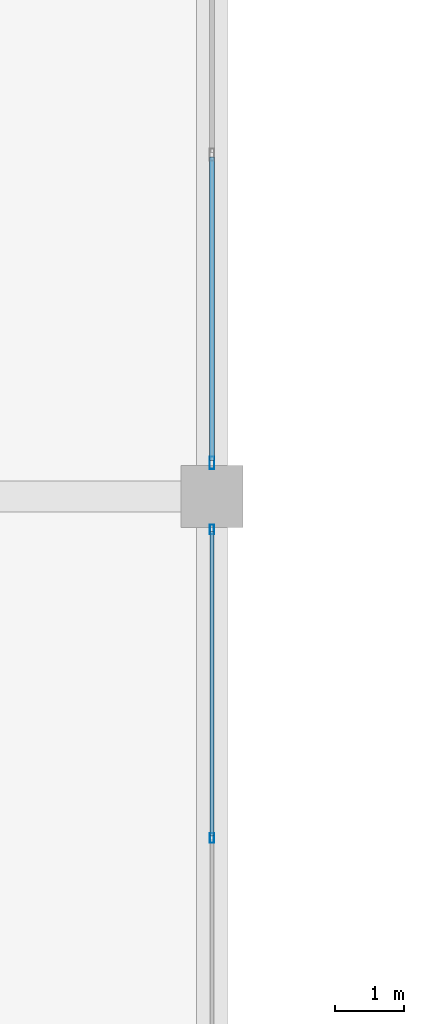
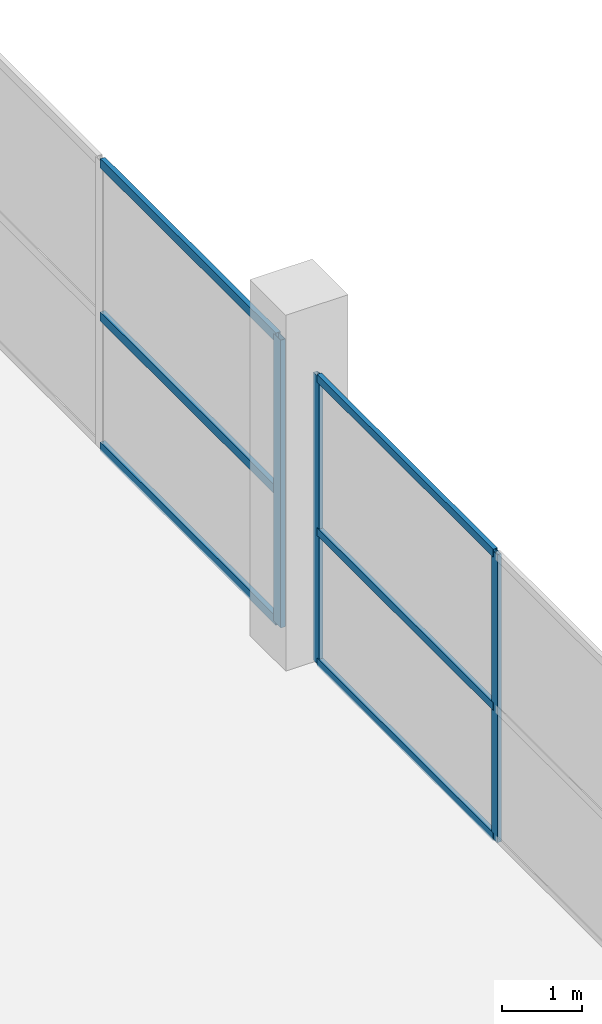
# One storey, part 15 of 50: 9 members, 2 elements without a shape of their own.
"""IFC4 building model written with IfcOpenShell, lengths in metres."""

import ifcopenshell
import ifcopenshell.guid

model = None  # the IFC model being written
_history = None  # IfcOwnerHistory: only IFC2X3 demands one
_inside = {}  # id of a spatial element -> (the spatial element, [elements in it])
_under = {}  # id of a project, library or spatial element -> (it, [spatial elements below it])
_declared = {}  # id of a project -> (the project, [libraries it declares])
_typed = {}  # id of a type object -> (the type object, [elements of that type])
_made_of = {}  # id of a material, layer set ... -> (it, [elements and type objects made of it])


def new_model(schema):
    """Start an empty IFC model of exactly this schema.

    Asked for "IFC4X3", IfcOpenShell would pick the latest addendum, in which some entities
    have other attributes; the version numbers below select the first issue.
    IFC2X3 requires an IfcOwnerHistory on every rooted entity: one is made here for all.
    """
    global model, _history
    if schema == "IFC4X3":
        model = ifcopenshell.file(schema_version=(4, 3, 0, 0))
    else:
        model = ifcopenshell.file(schema=schema)
    _inside.clear()
    _under.clear()
    _declared.clear()
    _typed.clear()
    _made_of.clear()
    _history = None
    if model.schema == "IFC2X3":
        org = make("IfcOrganization", Name="unknown")
        user = make(
            "IfcPersonAndOrganization",
            ThePerson=make("IfcPerson", FamilyName="unknown"),
            TheOrganization=org,
        )
        app = make(
            "IfcApplication",
            ApplicationDeveloper=org,
            Version="unknown",
            ApplicationFullName="unknown",
            ApplicationIdentifier="unknown",
        )
        _history = make(
            "IfcOwnerHistory",
            OwningUser=user,
            OwningApplication=app,
            ChangeAction="ADDED",
            CreationDate=0,
        )
    return model


def make(cls, **values):
    """One entity of the class cls with the attributes given. An attribute that is None is left unset."""
    return model.create_entity(
        cls, **{name: value for name, value in values.items() if value is not None}
    )


def rooted(cls, **values):
    """An entity with a GlobalId (a new one), such as an element, a storey or a relation."""
    return make(cls, GlobalId=ifcopenshell.guid.new(), OwnerHistory=_history, **values)


def si_unit(unit_type, name, prefix=None):
    """IfcSIUnit, for example si_unit("LENGTHUNIT", "METRE", prefix="MILLI")."""
    return make("IfcSIUnit", UnitType=unit_type, Prefix=prefix, Name=name)


def assignment(units):
    """IfcUnitAssignment: the units of a project."""
    return None if units is None else make("IfcUnitAssignment", Units=units)


def point(xyz):
    """IfcCartesianPoint."""
    return None if xyz is None else make("IfcCartesianPoint", Coordinates=xyz)


def direction(xyz):
    """IfcDirection."""
    return None if xyz is None else make("IfcDirection", DirectionRatios=xyz)


def frame(location, z_axis=None, x_axis=None):
    """IfcAxis2Placement3D, a coordinate frame: its origin and axes. An axis left out is left unset."""
    return make(
        "IfcAxis2Placement3D",
        Location=point(location),
        Axis=direction(z_axis),
        RefDirection=direction(x_axis),
    )


def frame_2d(location, x_axis=None):
    """IfcAxis2Placement2D, a coordinate frame in the plane: its origin and x axis."""
    return make(
        "IfcAxis2Placement2D", Location=point(location), RefDirection=direction(x_axis)
    )


def origin():
    """The frame at (0, 0, 0) with its axes left unset."""
    return frame((0.0, 0.0, 0.0))


def origin_2d():
    """The frame at (0, 0) in the plane with its x axis left unset."""
    return frame_2d((0.0, 0.0))


def place(relative_to, where):
    """IfcLocalPlacement: puts the frame where relative to a parent placement (None: the world)."""
    return make(
        "IfcLocalPlacement", PlacementRelTo=relative_to, RelativePlacement=where
    )


def context(
    kind, dimensions, precision=None, world=None, true_north=None, identifier=None
):
    """IfcGeometricRepresentationContext, for example the 3D "Model" context."""
    return make(
        "IfcGeometricRepresentationContext",
        ContextIdentifier=identifier,
        ContextType=kind,
        CoordinateSpaceDimension=dimensions,
        Precision=precision,
        WorldCoordinateSystem=world,
        TrueNorth=true_north,
    )


def subcontext(parent, identifier, kind, view, scale=None):
    """IfcGeometricRepresentationSubContext, for example "Body" below "Model"."""
    return make(
        "IfcGeometricRepresentationSubContext",
        ContextIdentifier=identifier,
        ContextType=kind,
        ParentContext=parent,
        TargetScale=scale,
        TargetView=view,
    )


def project(units=None, contexts=None):
    """IfcProject with its units and contexts."""
    return rooted(
        "IfcProject",
        Name="project",
        RepresentationContexts=contexts,
        UnitsInContext=assignment(units),
    )


def spatial(cls, under=None, at=None, **own):
    """A site, building, storey or space (cls), placed at a placement, below another one or the project."""
    s = rooted(cls, ObjectPlacement=at, **own)
    if under is not None:
        _under.setdefault(under.id(), (under, []))[1].append(s)
    return s


def profile(cls, at=None, kind="AREA", **sizes):
    """A parametric profile (cls). Its sizes go by their IFC names, for example OverallWidth=200.0."""
    return make(cls, ProfileType=kind, Position=at, **sizes)


def hollow_rectangle(**sizes):
    """IfcRectangleHollowProfileDef."""
    return profile("IfcRectangleHollowProfileDef", **sizes)


def extrude(swept, where, along, depth):
    """IfcExtrudedAreaSolid: the profile swept, set in the frame where, extruded along a direction by depth."""
    return make(
        "IfcExtrudedAreaSolid",
        SweptArea=swept,
        Position=where,
        ExtrudedDirection=direction(along),
        Depth=depth,
    )


def shape(context_of_items, identifier, shape_type, items):
    """IfcShapeRepresentation: the items that make up one representation, for example the "Body"."""
    return make(
        "IfcShapeRepresentation",
        ContextOfItems=context_of_items,
        RepresentationIdentifier=identifier,
        RepresentationType=shape_type,
        Items=items,
    )


def material(Name=None, Category=None):
    """IfcMaterial."""
    return make("IfcMaterial", Name=Name, Category=Category)


def layer(
    of_material, thickness, ventilated=None, Name=None, Category=None, Priority=None
):
    """IfcMaterialLayer: one layer of a wall or slab, of a material (None: an air gap)."""
    return make(
        "IfcMaterialLayer",
        Material=of_material,
        LayerThickness=thickness,
        IsVentilated=ventilated,
        Name=Name,
        Category=Category,
        Priority=Priority,
    )


def layer_set(layers, Name=None):
    """IfcMaterialLayerSet."""
    return make("IfcMaterialLayerSet", MaterialLayers=layers, LayerSetName=Name)


def material_profile(
    of_material, cross_section, Name=None, Category=None, Priority=None
):
    """IfcMaterialProfile: a cross section and its material."""
    return make(
        "IfcMaterialProfile",
        Name=Name,
        Material=of_material,
        Profile=cross_section,
        Priority=Priority,
        Category=Category,
    )


def profile_set(profiles, Name=None, composite=None):
    """IfcMaterialProfileSet."""
    return make(
        "IfcMaterialProfileSet",
        Name=Name,
        MaterialProfiles=profiles,
        CompositeProfile=composite,
    )


def made_of(thing, what):
    """Note that an element or type object is made of a material, layer set ...; save() writes the relation."""
    if what is not None:
        _made_of.setdefault(what.id(), (what, []))[1].append(thing)
    return thing


def type_object(cls, material=None, **own):
    """A type object (cls), such as IfcWallType, which elements share."""
    return made_of(rooted(cls, **own), material)


def element(
    cls,
    number,
    at=None,
    inside=None,
    cuts=None,
    type_object=None,
    material=None,
    context=None,
    identifier="Body",
    shape_type=None,
    held_by="IfcProductDefinitionShape",
    body=None,
    shapes=None,
    **own,
):
    """One element of the class cls, such as IfcWall. Its Tag is "e" and its number.

    at: its placement. inside: the storey or other place that contains it. cuts: it is an
    opening in that element (IfcRelVoidsElement). A single representation is given by context,
    identifier, shape_type and body (its items); several are given by shapes. held_by: the class
    of the entity that holds the representations. save() writes the other relations.
    """
    e = rooted(cls, Tag="e%d" % number, ObjectPlacement=at, **own)
    if body is not None:
        shapes = [shape(context, identifier, shape_type, body)]
    if shapes is not None:
        e.Representation = make(held_by, Representations=shapes)
    if inside is not None:
        _inside.setdefault(inside.id(), (inside, []))[1].append(e)
    if cuts is not None:
        rooted(
            "IfcRelVoidsElement", RelatingBuildingElement=cuts, RelatedOpeningElement=e
        )
    if type_object is not None:
        _typed.setdefault(type_object.id(), (type_object, []))[1].append(e)
    return made_of(e, material)


def aggregate(whole, parts):
    """IfcRelAggregates: a whole, such as a stair, and the parts it consists of."""
    return rooted("IfcRelAggregates", RelatingObject=whole, RelatedObjects=parts)


def save(model, path):
    """Write the relations noted so far, then the file.

    IfcRelAggregates (storeys below a building ...), IfcRelContainedInSpatialStructure (elements
    in a storey), IfcRelDefinesByType, IfcRelAssociatesMaterial and IfcRelDeclares: one each for
    every whole, place, type object, material and project.
    """
    for whole, parts in _under.values():
        aggregate(whole, parts)
    for where, things in _inside.values():
        rooted(
            "IfcRelContainedInSpatialStructure",
            RelatedElements=things,
            RelatingStructure=where,
        )
    for kind, things in _typed.values():
        rooted("IfcRelDefinesByType", RelatedObjects=things, RelatingType=kind)
    for what, things in _made_of.values():
        rooted("IfcRelAssociatesMaterial", RelatedObjects=things, RelatingMaterial=what)
    for by, libraries in _declared.values():
        rooted("IfcRelDeclares", RelatingContext=by, RelatedDefinitions=libraries)
    model.write(path)


model = new_model("IFC4")

# Units and contexts
model_context = context("Model", 3, precision=1e-05, world=origin(), true_north=direction((0.0, 1.0)))
body_context = subcontext(model_context, "Body", "Model", "MODEL_VIEW")
ifc_project = project(units=[si_unit("LENGTHUNIT", "METRE"), si_unit("AREAUNIT", "SQUARE_METRE"), si_unit("VOLUMEUNIT", "CUBIC_METRE"), si_unit("PLANEANGLEUNIT", "RADIAN"), si_unit("MASSUNIT", "GRAM", prefix="KILO")], contexts=[model_context])

# Site, building, storey
site_placement = place(None, origin())
site = spatial("IfcSite", under=ifc_project, at=site_placement, CompositionType="ELEMENT")
building_placement = place(site_placement, origin())
building = spatial("IfcBuilding", under=site, at=building_placement, Name="Sillaruma Civic Art Gallery", CompositionType="ELEMENT")
storey_placement = place(building_placement, origin())
storey = spatial("IfcBuildingStorey", under=building, at=storey_placement, Name="L00", CompositionType="ELEMENT", Elevation=0.0)

# Curtain wall, members
ifc_material = material(Name="Thermally Broken Extruded Aluminium 6063-T6", Category="aluminium")
ifc_layer_1 = layer(ifc_material, 0.139892578125, Name="Thermally Broken Extruded Aluminium 6063-T6")
ifc_layer_set_1 = layer_set([ifc_layer_1], Name="Thermally Broken Extruded Aluminium 6063-T6")
curtain_wall_type_1 = type_object("IfcCurtainWallType", Name="CW-UNI-05", PredefinedType="NOTDEFINED", material=ifc_layer_set_1)
curtain_wall_1_placement = place(storey_placement, origin())
curtain_wall_1 = element("IfcCurtainWall", 1, at=curtain_wall_1_placement, inside=storey, type_object=curtain_wall_type_1, Name="Unitised Curtain Wall CW-05 (CW-L00-SPE-5)", PredefinedType="NOTDEFINED")
ifc_material_profile_1 = material_profile(ifc_material, hollow_rectangle(XDim=0.06005859375, YDim=0.139892578125, WallThickness=0.00341796875, at=origin_2d()), Name="CWM60x140")
ifc_profile_set_1 = profile_set([ifc_material_profile_1], Name="Thermally Broken Extruded Aluminium 6063-T6")
member_type_1 = type_object("IfcMemberType", Name="MEM-MUL-CWM60x140", PredefinedType="MULLION", material=ifc_profile_set_1)
member_1_placement = place(storey_placement, frame((114.39990234375, 64.35009765625, 0.0), z_axis=(0.0, 0.0, 1.0), x_axis=(-1.0, 0.0, 0.0)))
member_1 = element("IfcMember", 2, at=member_1_placement, type_object=member_type_1, Name="CW-05 mullion 2", PredefinedType="MULLION", context=body_context, shape_type="SweptSolid", body=[
    extrude(hollow_rectangle(XDim=0.06005859375, YDim=0.139892578125, WallThickness=0.00341796875, at=origin_2d()), origin(), (0.0, 0.0, 1.0), 4.39990234375),
])
member_2_placement = place(storey_placement, frame((114.39990234375, 68.820068359375, 0.0), z_axis=(0.0, 0.0, 1.0), x_axis=(-1.0, 0.0, 0.0)))
member_2 = element("IfcMember", 3, at=member_2_placement, type_object=member_type_1, Name="CW-05 mullion 3", PredefinedType="MULLION", context=body_context, shape_type="SweptSolid", body=[
    extrude(hollow_rectangle(XDim=0.06005859375, YDim=0.139892578125, WallThickness=0.00341796875, at=origin_2d()), origin(), (0.0, 0.0, 1.0), 4.39990234375),
])

# Curtain wall, member
ifc_layer_2 = layer(ifc_material, 0.179931640625, Name="Thermally Broken Extruded Aluminium 6063-T6")
ifc_layer_set_2 = layer_set([ifc_layer_2], Name="Thermally Broken Extruded Aluminium 6063-T6")
curtain_wall_type_2 = type_object("IfcCurtainWallType", Name="CW-UNI-06", PredefinedType="NOTDEFINED", material=ifc_layer_set_2)
curtain_wall_2_placement = place(storey_placement, origin())
curtain_wall_2 = element("IfcCurtainWall", 4, at=curtain_wall_2_placement, inside=storey, type_object=curtain_wall_type_2, Name="Unitised Curtain Wall CW-06 (CW-L00-SPE-6)", PredefinedType="NOTDEFINED")
ifc_material_profile_2 = material_profile(ifc_material, hollow_rectangle(XDim=0.070068359375, YDim=0.179931640625, WallThickness=0.00390625, at=origin_2d()), Name="CWM70x180")
ifc_profile_set_2 = profile_set([ifc_material_profile_2], Name="Thermally Broken Extruded Aluminium 6063-T6")
member_type_2 = type_object("IfcMemberType", Name="MEM-MUL-CWM70x180", PredefinedType="MULLION", material=ifc_profile_set_2)
member_3_placement = place(storey_placement, frame((114.39990234375, 69.784912109375, 0.0), z_axis=(0.0, 0.0, 1.0), x_axis=(-1.0, 0.0, 0.0)))
member_3 = element("IfcMember", 5, at=member_3_placement, type_object=member_type_2, Name="CW-06 mullion 1", PredefinedType="MULLION", context=body_context, shape_type="SweptSolid", body=[
    extrude(hollow_rectangle(XDim=0.070068359375, YDim=0.179931640625, WallThickness=0.00390625, at=origin_2d()), origin(), (0.0, 0.0, 1.0), 4.39990234375),
])

# Member
ifc_material_profile_3 = material_profile(ifc_material, hollow_rectangle(XDim=0.06494140625, YDim=0.1201171875, WallThickness=0.00341796875, at=origin_2d()), Name="CWT65x120")
ifc_profile_set_3 = profile_set([ifc_material_profile_3], Name="Thermally Broken Extruded Aluminium 6063-T6")
member_type_3 = type_object("IfcMemberType", Name="MEM-TRN-CWT65x120", PredefinedType="USERDEFINED", material=ifc_profile_set_3)
member_4_placement = place(storey_placement, frame((114.39990234375, 64.3798828125, 0.032470703125), z_axis=(0.0, 1.0, 0.0), x_axis=(-1.0, 0.0, 0.0)))
member_4 = element("IfcMember", 6, at=member_4_placement, type_object=member_type_3, Name="CW-05 transom 2.1", ObjectType="TRANSOM", PredefinedType="USERDEFINED", context=body_context, shape_type="SweptSolid", body=[
    extrude(hollow_rectangle(XDim=0.06494140625, YDim=0.1201171875, WallThickness=0.00341796875, at=origin_2d()), origin(), (0.0, 0.0, 1.0), 4.41015625),
])

member_5_placement = place(storey_placement, frame((114.39990234375, 64.3798828125, 2.02392578125), z_axis=(0.0, 1.0, 0.0), x_axis=(-1.0, 0.0, 0.0)))
member_5 = element("IfcMember", 7, at=member_5_placement, type_object=member_type_3, Name="CW-05 transom 2.2", ObjectType="TRANSOM", PredefinedType="USERDEFINED", context=body_context, shape_type="SweptSolid", body=[
    extrude(hollow_rectangle(XDim=0.06494140625, YDim=0.1201171875, WallThickness=0.00341796875, at=origin_2d()), origin(), (0.0, 0.0, 1.0), 4.41015625),
])

member_6_placement = place(storey_placement, frame((114.39990234375, 64.3798828125, 4.367431640625), z_axis=(0.0, 1.0, 0.0), x_axis=(-1.0, 0.0, 0.0)))
member_6 = element("IfcMember", 8, at=member_6_placement, type_object=member_type_3, Name="CW-05 transom 2.3", ObjectType="TRANSOM", PredefinedType="USERDEFINED", context=body_context, shape_type="SweptSolid", body=[
    extrude(hollow_rectangle(XDim=0.06494140625, YDim=0.1201171875, WallThickness=0.00341796875, at=origin_2d()), origin(), (0.0, 0.0, 1.0), 4.41015625),
])

aggregate(curtain_wall_1, [member_1, member_2, member_4, member_5, member_6])

ifc_material_profile_4 = material_profile(ifc_material, hollow_rectangle(XDim=0.070068359375, YDim=0.139892578125, WallThickness=0.00390625, at=origin_2d()), Name="CWT70x140")
ifc_profile_set_4 = profile_set([ifc_material_profile_4], Name="Thermally Broken Extruded Aluminium 6063-T6")
member_type_4 = type_object("IfcMemberType", Name="MEM-TRN-CWT70x140", PredefinedType="USERDEFINED", material=ifc_profile_set_4)
member_7_placement = place(storey_placement, frame((114.39990234375, 69.820068359375, 0.034912109375), z_axis=(0.0, 1.0, 0.0), x_axis=(-1.0, 0.0, 0.0)))
member_7 = element("IfcMember", 9, at=member_7_placement, type_object=member_type_4, Name="CW-06 transom 1.1", ObjectType="TRANSOM", PredefinedType="USERDEFINED", context=body_context, shape_type="SweptSolid", body=[
    extrude(hollow_rectangle(XDim=0.070068359375, YDim=0.139892578125, WallThickness=0.00390625, at=origin_2d()), origin(), (0.0, 0.0, 1.0), 4.39501953125),
])

member_8_placement = place(storey_placement, frame((114.39990234375, 69.820068359375, 2.02392578125), z_axis=(0.0, 1.0, 0.0), x_axis=(-1.0, 0.0, 0.0)))
member_8 = element("IfcMember", 10, at=member_8_placement, type_object=member_type_4, Name="CW-06 transom 1.2", ObjectType="TRANSOM", PredefinedType="USERDEFINED", context=body_context, shape_type="SweptSolid", body=[
    extrude(hollow_rectangle(XDim=0.070068359375, YDim=0.139892578125, WallThickness=0.00390625, at=origin_2d()), origin(), (0.0, 0.0, 1.0), 4.39501953125),
])

member_9_placement = place(storey_placement, frame((114.39990234375, 69.820068359375, 4.364990234375), z_axis=(0.0, 1.0, 0.0), x_axis=(-1.0, 0.0, 0.0)))
member_9 = element("IfcMember", 11, at=member_9_placement, type_object=member_type_4, Name="CW-06 transom 1.3", ObjectType="TRANSOM", PredefinedType="USERDEFINED", context=body_context, shape_type="SweptSolid", body=[
    extrude(hollow_rectangle(XDim=0.070068359375, YDim=0.139892578125, WallThickness=0.00390625, at=origin_2d()), origin(), (0.0, 0.0, 1.0), 4.39501953125),
])

aggregate(curtain_wall_2, [member_3, member_7, member_8, member_9])

save(model, "model.ifc")
